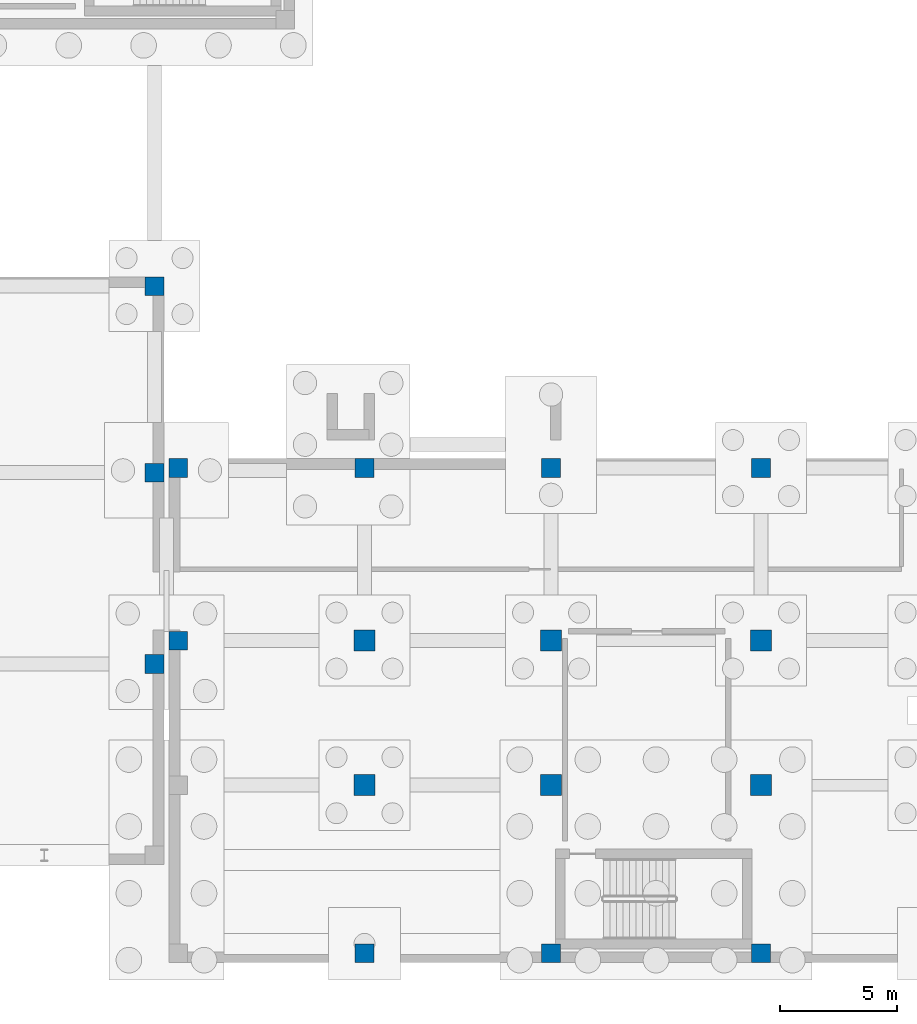
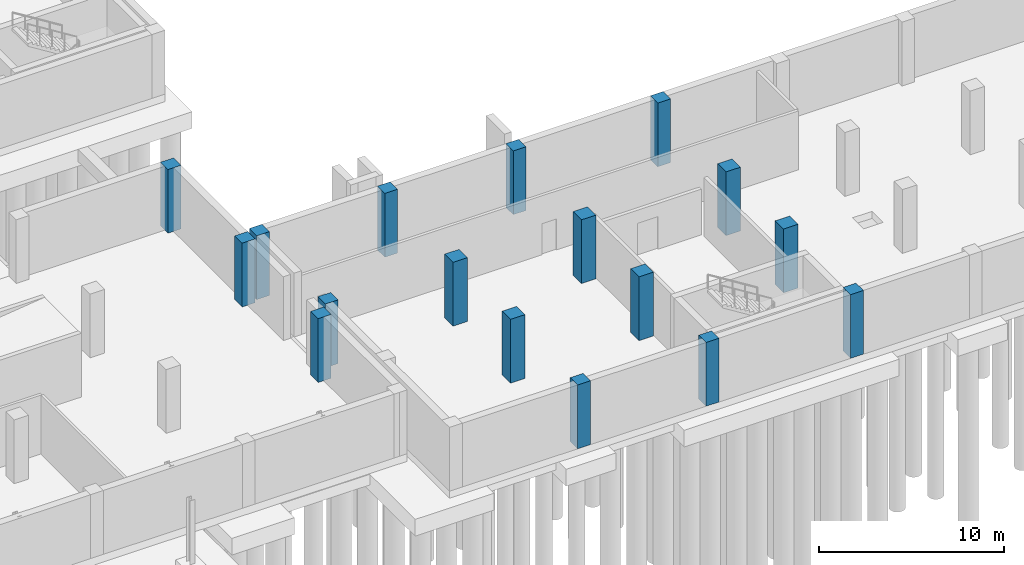
# One storey, part 12 of 31: 17 columns.
"""IFC4 building model written with IfcOpenShell, lengths in metres."""

from ifc_helpers import new_model, si_unit, direction, frame, origin, origin_2d, place, context, subcontext, project, spatial, rectangle, extrude, material, material_profile, profile_set, type_object, element, save


model = new_model("IFC4")

# Units and contexts
model_context = context("Model", 3, precision=1e-05, world=origin(), true_north=direction((0.0, 1.0)))
body_context = subcontext(model_context, "Body", "Model", "MODEL_VIEW")
ifc_project = project(units=[si_unit("LENGTHUNIT", "METRE"), si_unit("AREAUNIT", "SQUARE_METRE"), si_unit("VOLUMEUNIT", "CUBIC_METRE"), si_unit("PLANEANGLEUNIT", "RADIAN"), si_unit("MASSUNIT", "GRAM", prefix="KILO")], contexts=[model_context])

# Site, building, storey
site_placement = place(None, origin())
site = spatial("IfcSite", under=ifc_project, at=site_placement, CompositionType="ELEMENT")
building_placement = place(site_placement, origin())
building = spatial("IfcBuilding", under=site, at=building_placement, Name="Qalavern Law Courts", CompositionType="ELEMENT")
storey_placement = place(building_placement, frame((0.0, 0.0, -8.39990234375)))
storey = spatial("IfcBuildingStorey", under=building, at=storey_placement, Name="B2", CompositionType="ELEMENT", Elevation=-8.39990234375)

# Columns
ifc_material = material(Name="Concrete C45/55", Category="concrete")
ifc_material_profile_1 = material_profile(ifc_material, rectangle(XDim=0.800048828125, YDim=0.800048828125, at=origin_2d()), Name="RC 800x800")
ifc_profile_set_1 = profile_set([ifc_material_profile_1], Name="Concrete C45/55")
column_type_1 = type_object("IfcColumnType", Name="STR-COL-RC800E", PredefinedType="COLUMN", material=ifc_profile_set_1)
for number, where, z_axis, x_axis, name in (
    (1, (100.800048828125, 13.800048828125, 0.0), (0.0, 0.0, 1.0), (1.0, 0.0, 0.0), "V2 column 8-2 B2"),
    (2, (100.800048828125, 22.0, 0.0), (0.0, 0.0, 1.0), (1.0, 0.0, 0.0), "V2 column 8-3 B2"),
    (3, (100.800048828125, 30.0, 0.0), (0.0, 0.0, 1.0), (1.0, 0.0, 0.0), "V2 column 8-4 B2"),
    (4, (101.820068359375, 14.800048828125, 0.0), (0.0, 0.0, 1.0), (1.0, 0.0, 0.0), "V6 column 1-3 B2"),
    (5, (101.820068359375, 22.199951171875, 0.0), (0.0, 0.0, 1.0), (1.0, 0.0, 0.0), "V6 column 1-4 B2"),
    (6, (109.800048828125, 1.39990234375, 0.0), (0.0, 0.0, 1.0), (1.0, 0.0, 0.0), "V6 column 2-1 B2"),
    (7, (109.800048828125, 22.199951171875, 0.0), (0.0, 0.0, 1.0), (1.0, 0.0, 0.0), "V6 column 2-4 B2"),
    (8, (117.800048828125, 1.39990234375, 0.0), (0.0, 0.0, 1.0), (1.0, 0.0, 0.0), "V6 column 3-1 B2"),
    (9, (117.800048828125, 22.199951171875, 0.0), (0.0, 0.0, 1.0), (1.0, 0.0, 0.0), "V6 column 3-4 B2"),
    (10, (126.800048828125, 1.39990234375, 0.0), (0.0, 0.0, 1.0), (1.0, 0.0, 0.0), "V6 column 4-1 B2"),
    (11, (126.800048828125, 22.199951171875, 0.0), (0.0, 0.0, 1.0), (1.0, 0.0, 0.0), "V6 column 4-4 B2"),
):
    element("IfcColumn", number, at=place(storey_placement, frame(where, z_axis=z_axis, x_axis=x_axis)), inside=storey, type_object=column_type_1, Name=name, PredefinedType="COLUMN", context=body_context, shape_type="SweptSolid", body=[
        extrude(rectangle(XDim=0.800048828125, YDim=0.800048828125, at=origin_2d()), origin(), (0.0, 0.0, 1.0), 4.199951171875),
    ])
ifc_material_profile_2 = material_profile(ifc_material, rectangle(XDim=0.89990234375, YDim=0.89990234375, at=origin_2d()), Name="RC 900x900")
ifc_profile_set_2 = profile_set([ifc_material_profile_2], Name="Concrete C45/55")
column_type_2 = type_object("IfcColumnType", Name="STR-COL-RC900", PredefinedType="COLUMN", material=ifc_profile_set_2)
for number, where, z_axis, x_axis, name in (
    (12, (109.800048828125, 8.60009765625, 0.0), (0.0, 0.0, 1.0), (1.0, 0.0, 0.0), "V6 column 2-2 B2"),
    (13, (109.800048828125, 14.800048828125, 0.0), (0.0, 0.0, 1.0), (1.0, 0.0, 0.0), "V6 column 2-3 B2"),
    (14, (117.800048828125, 8.60009765625, 0.0), (0.0, 0.0, 1.0), (1.0, 0.0, 0.0), "V6 column 3-2 B2"),
    (15, (117.800048828125, 14.800048828125, 0.0), (0.0, 0.0, 1.0), (1.0, 0.0, 0.0), "V6 column 3-3 B2"),
    (16, (126.800048828125, 8.60009765625, 0.0), (0.0, 0.0, 1.0), (1.0, 0.0, 0.0), "V6 column 4-2 B2"),
    (17, (126.800048828125, 14.800048828125, 0.0), (0.0, 0.0, 1.0), (1.0, 0.0, 0.0), "V6 column 4-3 B2"),
):
    element("IfcColumn", number, at=place(storey_placement, frame(where, z_axis=z_axis, x_axis=x_axis)), inside=storey, type_object=column_type_2, Name=name, PredefinedType="COLUMN", context=body_context, shape_type="SweptSolid", body=[
        extrude(rectangle(XDim=0.89990234375, YDim=0.89990234375, at=origin_2d()), origin(), (0.0, 0.0, 1.0), 4.199951171875),
    ])

save(model, "model.ifc")
